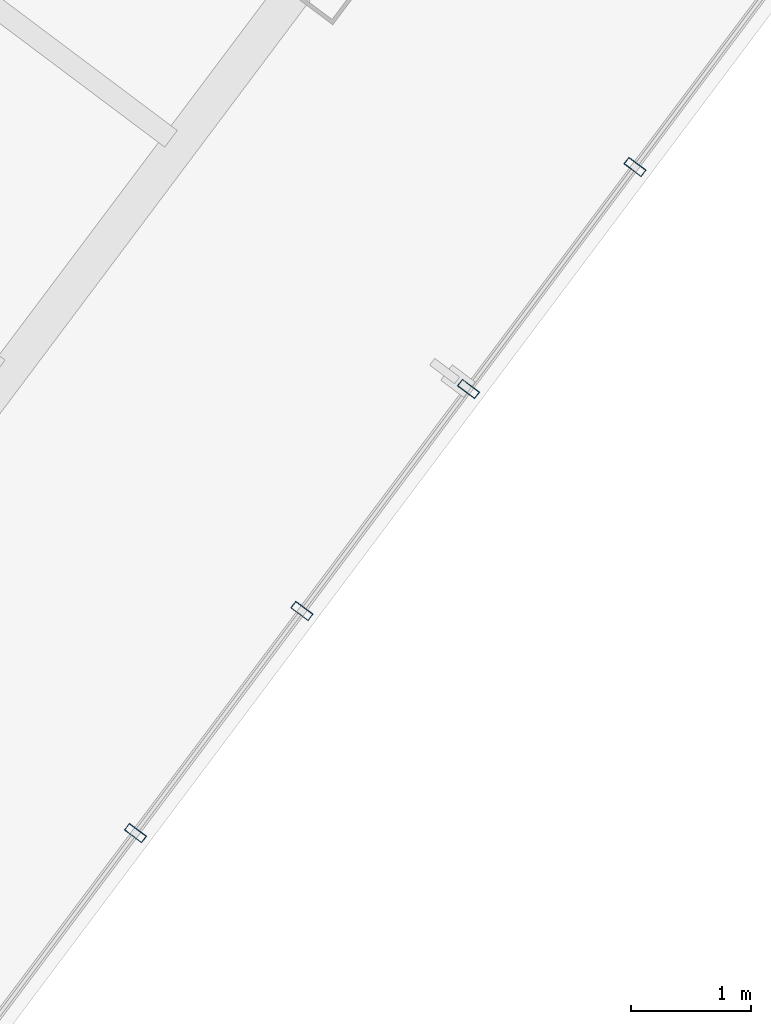
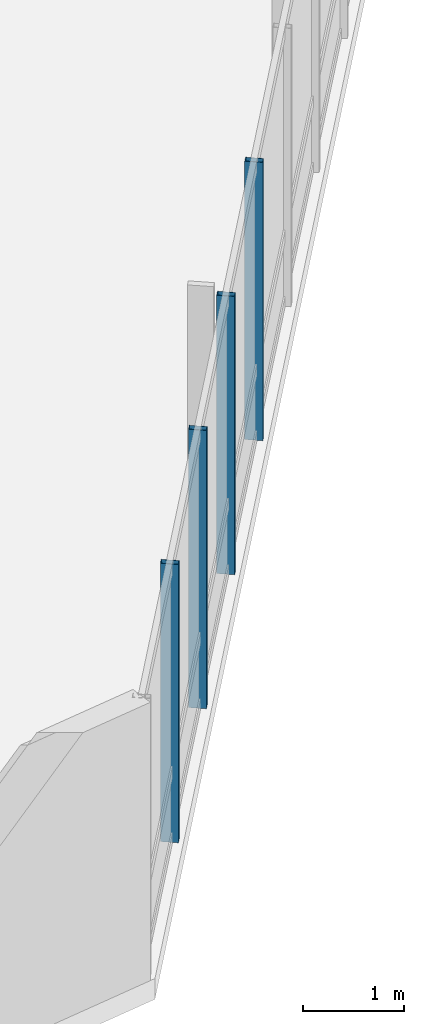
# One storey, part 8 of 29: 4 members, 1 element without a shape of its own.
"""IFC4 building model written with IfcOpenShell, lengths in metres."""

from ifc_helpers import new_model, si_unit, direction, frame, origin, origin_2d, place, context, subcontext, project, spatial, hollow_rectangle, extrude, material, layer, layer_set, material_profile, profile_set, type_object, element, aggregate, save


model = new_model("IFC4")

# Units and contexts
model_context = context("Model", 3, precision=1e-05, world=origin(), true_north=direction((0.0, 1.0)))
body_context = subcontext(model_context, "Body", "Model", "MODEL_VIEW")
ifc_project = project(units=[si_unit("LENGTHUNIT", "METRE"), si_unit("AREAUNIT", "SQUARE_METRE"), si_unit("VOLUMEUNIT", "CUBIC_METRE"), si_unit("PLANEANGLEUNIT", "RADIAN"), si_unit("MASSUNIT", "GRAM", prefix="KILO")], contexts=[model_context])

# Site, building, storey
site_placement = place(None, origin())
site = spatial("IfcSite", under=ifc_project, at=site_placement, CompositionType="ELEMENT")
building_placement = place(site_placement, origin())
building = spatial("IfcBuilding", under=site, at=building_placement, Name="Hatsunagi Terrace Concourse", CompositionType="ELEMENT")
storey_placement = place(building_placement, frame((0.0, 0.0, 115.64990234375)))
storey = spatial("IfcBuildingStorey", under=building, at=storey_placement, Name="L30", CompositionType="ELEMENT", Elevation=115.64990234375)

# Curtain wall, members
ifc_material_1 = material(Name="Anodised Aluminium Alloy 6063-T5", Category="aluminium")
ifc_layer = layer(ifc_material_1, 0.199951171875)
ifc_layer_set = layer_set([ifc_layer], Name="OfficeZone1_CW03")
curtain_wall_type = type_object("IfcCurtainWallType", Name="OfficeZone1_CW03", PredefinedType="NOTDEFINED", material=ifc_layer_set)
curtain_wall_placement = place(storey_placement, origin())
curtain_wall = element("IfcCurtainWall", 1, at=curtain_wall_placement, inside=storey, type_object=curtain_wall_type, Name="Unitised Curtain Wall CW-03 CW-L30-03", PredefinedType="NOTDEFINED")
ifc_material_2 = material(Name="Anodised Aluminium Alloy 6063-T5", Category="aluminium")
ifc_material_profile = material_profile(ifc_material_2, hollow_rectangle(XDim=0.070068359375, YDim=0.179931640625, WallThickness=0.00390625, at=origin_2d()), Name="ALU-MUL-180x70x4")
ifc_profile_set = profile_set([ifc_material_profile], Name="Anodised Aluminium Alloy 6063-T5")
member_type = type_object("IfcMemberType", Name="CurtainWallMullion_180x70", PredefinedType="MULLION", material=ifc_profile_set)
member_1_placement = place(storey_placement, frame((62.132080078125, 10.3759765625, 0.0), z_axis=(0.0, 0.0, 1.0), x_axis=(-0.599969314634, -0.800023013105, 0.0)))
member_1 = element("IfcMember", 2, at=member_1_placement, type_object=member_type, Name="Curtain Wall Mullion MUL-02", PredefinedType="MULLION", context=body_context, shape_type="SweptSolid", body=[
    extrude(hollow_rectangle(XDim=0.070068359375, YDim=0.179931640625, WallThickness=0.00390625, at=origin_2d()), origin(), (0.0, 0.0, 1.0), 3.35009765625),
])
member_2_placement = place(storey_placement, frame((60.739990234375, 8.51904296875, 0.0), z_axis=(0.0, 0.0, 1.0), x_axis=(-0.599969314634, -0.800023013105, 0.0)))
member_2 = element("IfcMember", 3, at=member_2_placement, type_object=member_type, Name="Curtain Wall Mullion MUL-02", PredefinedType="MULLION", context=body_context, shape_type="SweptSolid", body=[
    extrude(hollow_rectangle(XDim=0.070068359375, YDim=0.179931640625, WallThickness=0.00390625, at=origin_2d()), origin(), (0.0, 0.0, 1.0), 3.35009765625),
])
member_3_placement = place(storey_placement, frame((59.346923828125, 6.6630859375, 0.0), z_axis=(0.0, 0.0, 1.0), x_axis=(-0.599969314634, -0.800023013105, 0.0)))
member_3 = element("IfcMember", 4, at=member_3_placement, type_object=member_type, Name="Curtain Wall Mullion MUL-02", PredefinedType="MULLION", context=body_context, shape_type="SweptSolid", body=[
    extrude(hollow_rectangle(XDim=0.070068359375, YDim=0.179931640625, WallThickness=0.00390625, at=origin_2d()), origin(), (0.0, 0.0, 1.0), 3.35009765625),
])
member_4_placement = place(storey_placement, frame((57.955078125, 4.805908203125, 0.0), z_axis=(0.0, 0.0, 1.0), x_axis=(-0.599969314634, -0.800023013105, 0.0)))
member_4 = element("IfcMember", 5, at=member_4_placement, type_object=member_type, Name="Curtain Wall Mullion MUL-02", PredefinedType="MULLION", context=body_context, shape_type="SweptSolid", body=[
    extrude(hollow_rectangle(XDim=0.070068359375, YDim=0.179931640625, WallThickness=0.00390625, at=origin_2d()), origin(), (0.0, 0.0, 1.0), 3.35009765625),
])
aggregate(curtain_wall, [member_1, member_2, member_3, member_4])

save(model, "model.ifc")
